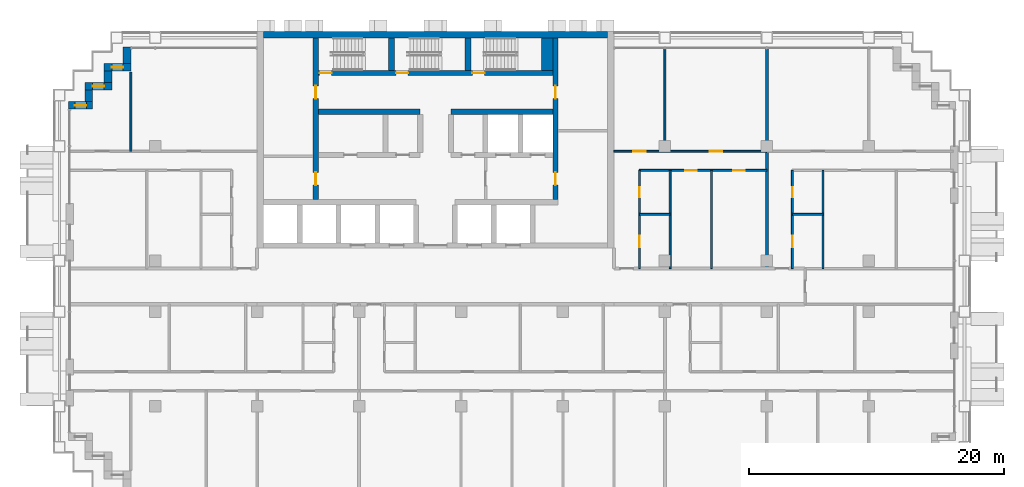
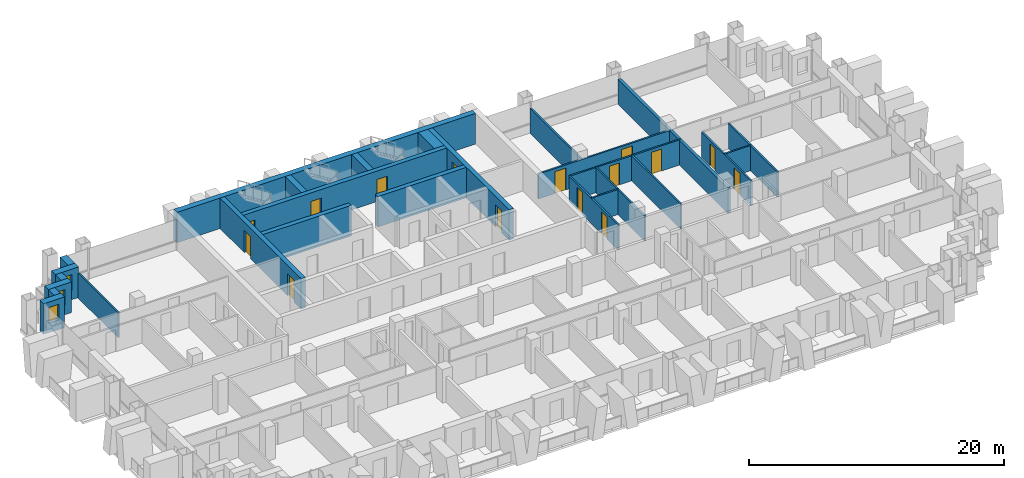
# One storey, part 12 of 17: 27 walls, 15 doors, 3 windows, 18 openings.
"""IFC4 building model written with IfcOpenShell, lengths in metres."""

from ifc_helpers import new_model, si_unit, direction, frame, frame_2d, origin, place, context, subcontext, project, spatial, rectangle, extrude, material, layer, layer_set, type_object, element, fill, save


model = new_model("IFC4")

# Units and contexts
model_context = context("Model", 3, precision=1e-05, world=origin(), true_north=direction((0.0, 1.0)))
body_context = subcontext(model_context, "Body", "Model", "MODEL_VIEW")
ifc_project = project(units=[si_unit("LENGTHUNIT", "METRE"), si_unit("AREAUNIT", "SQUARE_METRE"), si_unit("VOLUMEUNIT", "CUBIC_METRE"), si_unit("PLANEANGLEUNIT", "RADIAN"), si_unit("MASSUNIT", "GRAM", prefix="KILO")], contexts=[model_context])

# Site, building, storey
site_placement = place(None, origin())
site = spatial("IfcSite", under=ifc_project, at=site_placement, CompositionType="ELEMENT")
building_placement = place(site_placement, origin())
building = spatial("IfcBuilding", under=site, at=building_placement, Name="Vidyagriha Tower", CompositionType="ELEMENT")
storey_placement = place(building_placement, frame((0.0, 0.0, 96.699951171875)))
storey = spatial("IfcBuildingStorey", under=building, at=storey_placement, Name="L25", CompositionType="ELEMENT", Elevation=96.699951171875)

# Wall
ifc_material_1 = material(Name="Precast concrete C40/50 with brick facing", Category="concrete")
ifc_layer_1 = layer(ifc_material_1, 0.60009765625)
ifc_layer_set_1 = layer_set([ifc_layer_1], Name="Precast concrete C40/50 with brick facing")
wall_type_1 = type_object("IfcWallType", Name="Brick-faced precast wall 600", PredefinedType="STANDARD", material=ifc_layer_set_1)
wall_1_placement = place(storey_placement, frame((-24.199951171875, 18.780029296875, 0.0), z_axis=(0.0, 0.0, 1.0), x_axis=(0.0, -1.0, 0.0)))
element("IfcWall", 1, at=wall_1_placement, inside=storey, type_object=wall_type_1, Name="Stepped corner wall L25 R10", PredefinedType="STANDARD", context=body_context, shape_type="SweptSolid", body=[
    extrude(rectangle(XDim=1.280029296875, YDim=0.60009765625, at=frame_2d((0.64013671875, 0.0))), origin(), (0.0, 0.0, 1.0), 2.920166015625),
])

# Wall, opening, window
wall_2_placement = place(storey_placement, frame((-23.89990234375, 17.199951171875, 0.0), z_axis=(0.0, 0.0, 1.0), x_axis=(-1.0, 0.0, 0.0)))
wall_2 = element("IfcWall", 2, at=wall_2_placement, inside=storey, type_object=wall_type_1, Name="Stepped corner wall L25 R11", PredefinedType="STANDARD", context=body_context, shape_type="SweptSolid", body=[
    extrude(rectangle(XDim=2.10009765625, YDim=0.60009765625, at=frame_2d((1.050048828125, 0.0))), origin(), (0.0, 0.0, 1.0), 2.920166015625),
])
opening_1_placement = place(wall_2_placement, frame((0.60009765625, 0.0, 0.89990234375)))
opening_1 = element("IfcOpeningElement", 3, at=opening_1_placement, cuts=wall_2, Name="Opening WN1", PredefinedType="OPENING", context=body_context, shape_type="SweptSolid", body=[
    extrude(rectangle(XDim=0.89990234375, YDim=1.5, at=frame_2d((0.449951171875, 0.75))), frame((0.0, 0.31005859375, 0.0), z_axis=(0.0, -1.0, 0.0), x_axis=(1.0, 0.0, 0.0)), (0.0, 0.0, 1.0), 0.6201171875),
])
ifc_material_2 = material(Name="Aluminium and glass window", Category="aluminium")
window_type = type_object("IfcWindowType", Name="Reveal window 900x1500", PartitioningType="NOTDEFINED", PredefinedType="WINDOW", material=ifc_material_2)
window_1_placement = place(opening_1_placement, origin())
window_1 = element("IfcWindow", 4, at=window_1_placement, inside=storey, type_object=window_type, Name="Reveal window L25 R11", OverallHeight=1.5, OverallWidth=0.89990234375, PartitioningType="SINGLE_PANEL", PredefinedType="WINDOW", context=body_context, shape_type="SweptSolid", body=[
    extrude(rectangle(XDim=0.89990234375, YDim=1.5, at=frame_2d((0.449951171875, 0.75))), frame((0.0, 0.030029296875, 0.0), z_axis=(0.0, -1.0, 0.0), x_axis=(1.0, 0.0, 0.0)), (0.0, 0.0, 1.0), 0.06005859375),
])
fill(opening_1, window_1)

# Wall
wall_3_placement = place(storey_placement, frame((-25.699951171875, 16.89990234375, 0.0), z_axis=(0.0, 0.0, 1.0), x_axis=(0.0, -1.0, 0.0)))
element("IfcWall", 5, at=wall_3_placement, inside=storey, type_object=wall_type_1, Name="Stepped corner wall L25 R12", PredefinedType="STANDARD", context=body_context, shape_type="SweptSolid", body=[
    extrude(rectangle(XDim=0.89990234375, YDim=0.60009765625, at=frame_2d((0.449951171875, 0.0))), origin(), (0.0, 0.0, 1.0), 2.920166015625),
])

# Wall, opening, window
wall_4_placement = place(storey_placement, frame((-25.39990234375, 15.699951171875, 0.0), z_axis=(0.0, 0.0, 1.0), x_axis=(-1.0, 0.0, 0.0)))
wall_4 = element("IfcWall", 6, at=wall_4_placement, inside=storey, type_object=wall_type_1, Name="Stepped corner wall L25 R13", PredefinedType="STANDARD", context=body_context, shape_type="SweptSolid", body=[
    extrude(rectangle(XDim=2.10009765625, YDim=0.60009765625, at=frame_2d((1.050048828125, 0.0))), origin(), (0.0, 0.0, 1.0), 2.920166015625),
])
opening_2_placement = place(wall_4_placement, frame((0.60009765625, 0.0, 0.89990234375)))
opening_2 = element("IfcOpeningElement", 7, at=opening_2_placement, cuts=wall_4, Name="Opening WN1", PredefinedType="OPENING", context=body_context, shape_type="SweptSolid", body=[
    extrude(rectangle(XDim=0.89990234375, YDim=1.5, at=frame_2d((0.449951171875, 0.75))), frame((0.0, 0.31005859375, 0.0), z_axis=(0.0, -1.0, 0.0), x_axis=(1.0, 0.0, 0.0)), (0.0, 0.0, 1.0), 0.6201171875),
])
window_2_placement = place(opening_2_placement, origin())
window_2 = element("IfcWindow", 8, at=window_2_placement, inside=storey, type_object=window_type, Name="Reveal window L25 R13", OverallHeight=1.5, OverallWidth=0.89990234375, PartitioningType="SINGLE_PANEL", PredefinedType="WINDOW", context=body_context, shape_type="SweptSolid", body=[
    extrude(rectangle(XDim=0.89990234375, YDim=1.5, at=frame_2d((0.449951171875, 0.75))), frame((0.0, 0.030029296875, 0.0), z_axis=(0.0, -1.0, 0.0), x_axis=(1.0, 0.0, 0.0)), (0.0, 0.0, 1.0), 0.06005859375),
])
fill(opening_2, window_2)

# Wall
wall_5_placement = place(storey_placement, frame((-27.199951171875, 15.39990234375, 0.0), z_axis=(0.0, 0.0, 1.0), x_axis=(0.0, -1.0, 0.0)))
element("IfcWall", 9, at=wall_5_placement, inside=storey, type_object=wall_type_1, Name="Stepped corner wall L25 R14", PredefinedType="STANDARD", context=body_context, shape_type="SweptSolid", body=[
    extrude(rectangle(XDim=0.89990234375, YDim=0.60009765625, at=frame_2d((0.449951171875, 0.0))), origin(), (0.0, 0.0, 1.0), 2.920166015625),
])

# Wall, opening, window
wall_6_placement = place(storey_placement, frame((-26.89990234375, 14.199951171875, 0.0), z_axis=(0.0, 0.0, 1.0), x_axis=(-1.0, 0.0, 0.0)))
wall_6 = element("IfcWall", 10, at=wall_6_placement, inside=storey, type_object=wall_type_1, Name="Stepped corner wall L25 R15", PredefinedType="STANDARD", context=body_context, shape_type="SweptSolid", body=[
    extrude(rectangle(XDim=1.880126953125, YDim=0.60009765625, at=frame_2d((0.93994140625, 0.0))), origin(), (0.0, 0.0, 1.0), 2.920166015625),
])
opening_3_placement = place(wall_6_placement, frame((0.489990234375, 0.0, 0.89990234375)))
opening_3 = element("IfcOpeningElement", 11, at=opening_3_placement, cuts=wall_6, Name="Opening WN1", PredefinedType="OPENING", context=body_context, shape_type="SweptSolid", body=[
    extrude(rectangle(XDim=0.89990234375, YDim=1.5, at=frame_2d((0.449951171875, 0.75))), frame((0.0, 0.31005859375, 0.0), z_axis=(0.0, -1.0, 0.0), x_axis=(1.0, 0.0, 0.0)), (0.0, 0.0, 1.0), 0.6201171875),
])
window_3_placement = place(opening_3_placement, origin())
window_3 = element("IfcWindow", 12, at=window_3_placement, inside=storey, type_object=window_type, Name="Reveal window L25 R15", OverallHeight=1.5, OverallWidth=0.89990234375, PartitioningType="SINGLE_PANEL", PredefinedType="WINDOW", context=body_context, shape_type="SweptSolid", body=[
    extrude(rectangle(XDim=0.89990234375, YDim=1.5, at=frame_2d((0.449951171875, 0.75))), frame((0.0, 0.030029296875, 0.0), z_axis=(0.0, -1.0, 0.0), x_axis=(1.0, 0.0, 0.0)), (0.0, 0.0, 1.0), 0.06005859375),
])
fill(opening_3, window_3)

# Wall, openings, doors
ifc_material_3 = material(Name="Concrete C60/75", Category="concrete")
ifc_layer_2 = layer(ifc_material_3, 0.39990234375)
ifc_layer_set_2 = layer_set([ifc_layer_2], Name="Concrete C60/75")
wall_type_2 = type_object("IfcWallType", Name="Core shear wall 400 mm", PredefinedType="SHEAR", material=ifc_layer_set_2)
wall_7_placement = place(storey_placement, frame((-9.39990234375, 6.800048828125, 0.0), z_axis=(0.0, 0.0, 1.0), x_axis=(0.0, 1.0, 0.0)))
wall_7 = element("IfcWall", 13, at=wall_7_placement, inside=storey, type_object=wall_type_2, Name="Core west spine wall", PredefinedType="SHEAR", context=body_context, shape_type="SweptSolid", body=[
    extrude(rectangle(XDim=12.699951171875, YDim=0.39990234375, at=frame_2d((6.35009765625, 0.0))), origin(), (0.0, 0.0, 1.0), 2.920166015625),
])
opening_4_placement = place(wall_7_placement, frame((1.14990234375, 0.0, 0.0)))
opening_4 = element("IfcOpeningElement", 14, at=opening_4_placement, cuts=wall_7, Name="Opening D25-09", PredefinedType="OPENING", context=body_context, shape_type="SweptSolid", body=[
    extrude(rectangle(XDim=1.0, YDim=2.10009765625, at=frame_2d((0.5, 1.050048828125))), frame((0.0, 0.2099609375, 0.0), z_axis=(0.0, -1.0, 0.0), x_axis=(1.0, 0.0, 0.0)), (0.0, 0.0, 1.0), 0.419921875),
])
opening_5_placement = place(wall_7_placement, frame((7.925048828125, 0.0, 0.0)))
opening_5 = element("IfcOpeningElement", 15, at=opening_5_placement, cuts=wall_7, Name="Opening D25-10", PredefinedType="OPENING", context=body_context, shape_type="SweptSolid", body=[
    extrude(rectangle(XDim=1.0, YDim=2.10009765625, at=frame_2d((0.5, 1.050048828125))), frame((0.0, 0.2099609375, 0.0), z_axis=(0.0, -1.0, 0.0), x_axis=(1.0, 0.0, 0.0)), (0.0, 0.0, 1.0), 0.419921875),
])
ifc_material_4 = material(Name="Hollow metal door leaf")
door_type_1 = type_object("IfcDoorType", Name="Core room door 1000 x 2100 mm EI 60", OperationType="NOTDEFINED", PredefinedType="DOOR", material=ifc_material_4)
door_1_placement = place(opening_4_placement, frame((1.0, 0.0, 0.0), z_axis=(0.0, 0.0, 1.0), x_axis=(-1.0, 0.0, 0.0)))
door_1 = element("IfcDoor", 16, at=door_1_placement, inside=storey, type_object=door_type_1, Name="Door Electrical Room 25.W1", OperationType="SINGLE_SWING_RIGHT", OverallHeight=2.10009765625, OverallWidth=1.0, PredefinedType="DOOR", context=body_context, shape_type="SweptSolid", body=[
    extrude(rectangle(XDim=1.0, YDim=2.10009765625, at=frame_2d((0.5, 1.050048828125))), frame((0.0, 0.02490234375, 0.0), z_axis=(0.0, -1.0, 0.0), x_axis=(1.0, 0.0, 0.0)), (0.0, 0.0, 1.0), 0.050048828125),
])
fill(opening_4, door_1)
door_2_placement = place(opening_5_placement, frame((1.0, 0.0, 0.0), z_axis=(0.0, 0.0, 1.0), x_axis=(-1.0, 0.0, 0.0)))
door_2 = element("IfcDoor", 17, at=door_2_placement, inside=storey, type_object=door_type_1, Name="Door Refuse Room 25.W2", OperationType="SINGLE_SWING_LEFT", OverallHeight=2.10009765625, OverallWidth=1.0, PredefinedType="DOOR", context=body_context, shape_type="SweptSolid", body=[
    extrude(rectangle(XDim=1.0, YDim=2.10009765625, at=frame_2d((0.5, 1.050048828125))), frame((0.0, 0.02490234375, 0.0), z_axis=(0.0, -1.0, 0.0), x_axis=(1.0, 0.0, 0.0)), (0.0, 0.0, 1.0), 0.050048828125),
])
fill(opening_5, door_2)

wall_8_placement = place(storey_placement, frame((9.39990234375, 6.800048828125, 0.0), z_axis=(0.0, 0.0, 1.0), x_axis=(0.0, 1.0, 0.0)))
wall_8 = element("IfcWall", 18, at=wall_8_placement, inside=storey, type_object=wall_type_2, Name="Core east spine wall", PredefinedType="SHEAR", context=body_context, shape_type="SweptSolid", body=[
    extrude(rectangle(XDim=12.699951171875, YDim=0.39990234375, at=frame_2d((6.35009765625, 0.0))), origin(), (0.0, 0.0, 1.0), 2.920166015625),
])
opening_6_placement = place(wall_8_placement, frame((1.14990234375, 0.0, 0.0)))
opening_6 = element("IfcOpeningElement", 19, at=opening_6_placement, cuts=wall_8, Name="Opening D25-11", PredefinedType="OPENING", context=body_context, shape_type="SweptSolid", body=[
    extrude(rectangle(XDim=1.0, YDim=2.10009765625, at=frame_2d((0.5, 1.050048828125))), frame((0.0, 0.2099609375, 0.0), z_axis=(0.0, -1.0, 0.0), x_axis=(1.0, 0.0, 0.0)), (0.0, 0.0, 1.0), 0.419921875),
])
opening_7_placement = place(wall_8_placement, frame((7.925048828125, 0.0, 0.0)))
opening_7 = element("IfcOpeningElement", 20, at=opening_7_placement, cuts=wall_8, Name="Opening D25-12", PredefinedType="OPENING", context=body_context, shape_type="SweptSolid", body=[
    extrude(rectangle(XDim=1.0, YDim=2.10009765625, at=frame_2d((0.5, 1.050048828125))), frame((0.0, 0.2099609375, 0.0), z_axis=(0.0, -1.0, 0.0), x_axis=(1.0, 0.0, 0.0)), (0.0, 0.0, 1.0), 0.419921875),
])
door_3_placement = place(opening_6_placement, origin())
door_3 = element("IfcDoor", 21, at=door_3_placement, inside=storey, type_object=door_type_1, Name="Door Cleaners Store 25.E1", OperationType="SINGLE_SWING_RIGHT", OverallHeight=2.10009765625, OverallWidth=1.0, PredefinedType="DOOR", context=body_context, shape_type="SweptSolid", body=[
    extrude(rectangle(XDim=1.0, YDim=2.10009765625, at=frame_2d((0.5, 1.050048828125))), frame((0.0, 0.02490234375, 0.0), z_axis=(0.0, -1.0, 0.0), x_axis=(1.0, 0.0, 0.0)), (0.0, 0.0, 1.0), 0.050048828125),
])
fill(opening_6, door_3)
door_4_placement = place(opening_7_placement, origin())
door_4 = element("IfcDoor", 22, at=door_4_placement, inside=storey, type_object=door_type_1, Name="Door Pressurisation Plant Room 25.E2", OperationType="SINGLE_SWING_LEFT", OverallHeight=2.10009765625, OverallWidth=1.0, PredefinedType="DOOR", context=body_context, shape_type="SweptSolid", body=[
    extrude(rectangle(XDim=1.0, YDim=2.10009765625, at=frame_2d((0.5, 1.050048828125))), frame((0.0, 0.02490234375, 0.0), z_axis=(0.0, -1.0, 0.0), x_axis=(1.0, 0.0, 0.0)), (0.0, 0.0, 1.0), 0.050048828125),
])
fill(opening_7, door_4)

# Walls
for number, where, name in (
    (23, (-9.199951171875, 13.699951171875, 0.0), "Core row N rear wall"),
    (24, (1.199951171875, 13.699951171875, 0.0), "Core row N rear wall"),
):
    element("IfcWall", number, at=place(storey_placement, frame(where)), inside=storey, type_object=wall_type_2, Name=name, PredefinedType="SHEAR", context=body_context, shape_type="SweptSolid", body=[
        extrude(rectangle(XDim=8.0, YDim=0.39990234375, at=frame_2d((4.0, 0.0))), origin(), (0.0, 0.0, 1.0), 2.920166015625),
    ])

# Wall, openings, doors
wall_9_placement = place(storey_placement, frame((-9.199951171875, 16.75, 0.0)))
wall_9 = element("IfcWall", 25, at=wall_9_placement, inside=storey, type_object=wall_type_2, Name="Stair front wall", PredefinedType="SHEAR", context=body_context, shape_type="SweptSolid", body=[
    extrude(rectangle(XDim=18.39990234375, YDim=0.39990234375, at=frame_2d((9.199951171875, 0.0))), origin(), (0.0, 0.0, 1.0), 2.920166015625),
])
opening_8_placement = place(wall_9_placement, frame((0.10009765625, 0.0, 0.0)))
opening_8 = element("IfcOpeningElement", 26, at=opening_8_placement, cuts=wall_9, Name="Opening D25-06", PredefinedType="OPENING", context=body_context, shape_type="SweptSolid", body=[
    extrude(rectangle(XDim=0.949951171875, YDim=2.10009765625, at=frame_2d((0.47509765625, 1.050048828125))), frame((0.0, 0.2099609375, 0.0), z_axis=(0.0, -1.0, 0.0), x_axis=(1.0, 0.0, 0.0)), (0.0, 0.0, 1.0), 0.419921875),
])
opening_9_placement = place(wall_9_placement, frame((6.10009765625, 0.0, 0.0)))
opening_9 = element("IfcOpeningElement", 27, at=opening_9_placement, cuts=wall_9, Name="Opening D25-07", PredefinedType="OPENING", context=body_context, shape_type="SweptSolid", body=[
    extrude(rectangle(XDim=0.949951171875, YDim=2.10009765625, at=frame_2d((0.47509765625, 1.050048828125))), frame((0.0, 0.2099609375, 0.0), z_axis=(0.0, -1.0, 0.0), x_axis=(1.0, 0.0, 0.0)), (0.0, 0.0, 1.0), 0.419921875),
])
opening_10_placement = place(wall_9_placement, frame((12.10009765625, 0.0, 0.0)))
opening_10 = element("IfcOpeningElement", 28, at=opening_10_placement, cuts=wall_9, Name="Opening D25-08", PredefinedType="OPENING", context=body_context, shape_type="SweptSolid", body=[
    extrude(rectangle(XDim=0.949951171875, YDim=2.10009765625, at=frame_2d((0.47509765625, 1.050048828125))), frame((0.0, 0.2099609375, 0.0), z_axis=(0.0, -1.0, 0.0), x_axis=(1.0, 0.0, 0.0)), (0.0, 0.0, 1.0), 0.419921875),
])
ifc_material_5 = material(Name="Hollow metal door leaf")
door_type_2 = type_object("IfcDoorType", Name="Exit stair door 950 x 2100 mm EI 90", OperationType="NOTDEFINED", PredefinedType="DOOR", material=ifc_material_5)
door_5_placement = place(opening_8_placement, origin())
door_5 = element("IfcDoor", 29, at=door_5_placement, inside=storey, type_object=door_type_2, Name="Stair door ST1 L25", OperationType="SINGLE_SWING_LEFT", OverallHeight=2.10009765625, OverallWidth=0.949951171875, PredefinedType="DOOR", context=body_context, shape_type="SweptSolid", body=[
    extrude(rectangle(XDim=0.949951171875, YDim=2.10009765625, at=frame_2d((0.47509765625, 1.050048828125))), frame((0.0, 0.02490234375, 0.0), z_axis=(0.0, -1.0, 0.0), x_axis=(1.0, 0.0, 0.0)), (0.0, 0.0, 1.0), 0.050048828125),
])
fill(opening_8, door_5)
door_6_placement = place(opening_9_placement, origin())
door_6 = element("IfcDoor", 30, at=door_6_placement, inside=storey, type_object=door_type_2, Name="Stair door ST2 L25", OperationType="SINGLE_SWING_LEFT", OverallHeight=2.10009765625, OverallWidth=0.949951171875, PredefinedType="DOOR", context=body_context, shape_type="SweptSolid", body=[
    extrude(rectangle(XDim=0.949951171875, YDim=2.10009765625, at=frame_2d((0.47509765625, 1.050048828125))), frame((0.0, 0.02490234375, 0.0), z_axis=(0.0, -1.0, 0.0), x_axis=(1.0, 0.0, 0.0)), (0.0, 0.0, 1.0), 0.050048828125),
])
fill(opening_9, door_6)
door_7_placement = place(opening_10_placement, origin())
door_7 = element("IfcDoor", 31, at=door_7_placement, inside=storey, type_object=door_type_2, Name="Stair door ST3 L25", OperationType="SINGLE_SWING_LEFT", OverallHeight=2.10009765625, OverallWidth=0.949951171875, PredefinedType="DOOR", context=body_context, shape_type="SweptSolid", body=[
    extrude(rectangle(XDim=0.949951171875, YDim=2.10009765625, at=frame_2d((0.47509765625, 1.050048828125))), frame((0.0, 0.02490234375, 0.0), z_axis=(0.0, -1.0, 0.0), x_axis=(1.0, 0.0, 0.0)), (0.0, 0.0, 1.0), 0.050048828125),
])
fill(opening_10, door_7)

# Walls
ifc_material_6 = material(Name="Concrete C60/75", Category="concrete")
ifc_layer_3 = layer(ifc_material_6, 0.5)
ifc_layer_set_3 = layer_set([ifc_layer_3], Name="Concrete C60/75")
wall_type_3 = type_object("IfcWallType", Name="Core shear wall 500 mm", PredefinedType="SHEAR", material=ifc_layer_set_3)
wall_10_placement = place(storey_placement, frame((-13.5, 19.75, 0.0)))
element("IfcWall", 32, at=wall_10_placement, inside=storey, type_object=wall_type_3, Name="Core north wall", PredefinedType="SHEAR", context=body_context, shape_type="SweptSolid", body=[
    extrude(rectangle(XDim=27.0, YDim=0.5, at=frame_2d((13.5, 0.0))), origin(), (0.0, 0.0, 1.0), 2.920166015625),
])
for number, where, z_axis, x_axis, name in (
    (33, (-3.449951171875, 16.949951171875, 0.0), (0.0, 0.0, 1.0), (0.0, 1.0, 0.0), "Stair partition wall 1"),
    (34, (2.550048828125, 16.949951171875, 0.0), (0.0, 0.0, 1.0), (0.0, 1.0, 0.0), "Stair partition wall 2"),
):
    element("IfcWall", number, at=place(storey_placement, frame(where, z_axis=z_axis, x_axis=x_axis)), inside=storey, type_object=wall_type_3, Name=name, PredefinedType="SHEAR", context=body_context, shape_type="SweptSolid", body=[
        extrude(rectangle(XDim=2.550048828125, YDim=0.5, at=frame_2d((1.27490234375, 0.0))), origin(), (0.0, 0.0, 1.0), 2.920166015625),
    ])
ifc_material_7 = material(Name="Concrete C60/75", Category="concrete")
ifc_layer_4 = layer(ifc_material_7, 0.89990234375)
ifc_layer_set_4 = layer_set([ifc_layer_4], Name="Concrete C60/75")
wall_type_4 = type_object("IfcWallType", Name="Core shear wall 900 mm", PredefinedType="SHEAR", material=ifc_layer_set_4)
wall_11_placement = place(storey_placement, frame((8.75, 16.949951171875, 0.0), z_axis=(0.0, 0.0, 1.0), x_axis=(0.0, 1.0, 0.0)))
element("IfcWall", 35, at=wall_11_placement, inside=storey, type_object=wall_type_4, Name="Stair end wall", PredefinedType="SHEAR", context=body_context, shape_type="SweptSolid", body=[
    extrude(rectangle(XDim=2.550048828125, YDim=0.89990234375, at=frame_2d((1.27490234375, 0.0))), origin(), (0.0, 0.0, 1.0), 2.920166015625),
])
ifc_material_8 = material(Name="Fired clay brick masonry", Category="masonry")
ifc_layer_5 = layer(ifc_material_8, 0.25)
ifc_layer_set_5 = layer_set([ifc_layer_5], Name="Fired clay brick masonry")
wall_type_5 = type_object("IfcWallType", Name="Fired clay brick demising wall 250", PredefinedType="PARTITIONING", material=ifc_layer_set_5)
wall_12_placement = place(storey_placement, frame((26.0, 18.62109375, 0.0), z_axis=(0.0, 0.0, 1.0), x_axis=(0.0, -1.0, 0.0)))
element("IfcWall", 36, at=wall_12_placement, inside=storey, type_object=wall_type_5, Name="Wall all-L25-w111", PredefinedType="PARTITIONING", context=body_context, shape_type="SweptSolid", body=[
    extrude(rectangle(XDim=17.22119140625, YDim=0.25, at=frame_2d((8.610595703125, 0.0))), origin(), (0.0, 0.0, 1.0), 2.400146484375),
])
ifc_material_9 = material(Name="Gypsum board partition")
ifc_layer_6 = layer(ifc_material_9, 0.14990234375)
ifc_layer_set_6 = layer_set([ifc_layer_6], Name="Gypsum board partition")
wall_type_6 = type_object("IfcWallType", Name="Gypsum board partition 150", PredefinedType="PARTITIONING", material=ifc_layer_set_6)
wall_13_placement = place(storey_placement, frame((-23.89990234375, 16.820068359375, 0.0), z_axis=(0.0, 0.0, 1.0), x_axis=(0.0, -1.0, 0.0)))
element("IfcWall", 37, at=wall_13_placement, inside=storey, type_object=wall_type_6, Name="Wall all-L25-w080", PredefinedType="PARTITIONING", context=body_context, shape_type="SweptSolid", body=[
    extrude(rectangle(XDim=6.219970703125, YDim=0.14990234375, at=frame_2d((3.10986328125, 0.0))), origin(), (0.0, 0.0, 1.0), 2.400146484375),
])
wall_14_placement = place(storey_placement, frame((16.0, 5.64990234375, 0.0)))
element("IfcWall", 38, at=wall_14_placement, inside=storey, type_object=wall_type_6, Name="Wall all-L25-w086", PredefinedType="PARTITIONING", context=body_context, shape_type="SweptSolid", body=[
    extrude(rectangle(XDim=2.39990234375, YDim=0.14990234375, at=frame_2d((1.199951171875, 0.0))), origin(), (0.0, 0.0, 1.0), 2.400146484375),
])
for number, where, z_axis, x_axis, name in (
    (39, (18.39990234375, 9.10009765625, 0.0), (0.0, 0.0, 1.0), (0.0, -1.0, 0.0), "Wall all-L25-w087"),
    (40, (21.64990234375, 9.10009765625, 0.0), (0.0, 0.0, 1.0), (0.0, -1.0, 0.0), "Wall all-L25-w088"),
):
    element("IfcWall", number, at=place(storey_placement, frame(where, z_axis=z_axis, x_axis=x_axis)), inside=storey, type_object=wall_type_6, Name=name, PredefinedType="PARTITIONING", context=body_context, shape_type="SweptSolid", body=[
        extrude(rectangle(XDim=7.7001953125, YDim=0.14990234375, at=frame_2d((3.85009765625, 0.0))), origin(), (0.0, 0.0, 1.0), 2.400146484375),
    ])

# Wall, openings, doors
wall_15_placement = place(storey_placement, frame((26.0, 9.10009765625, 0.0), z_axis=(0.0, 0.0, 1.0), x_axis=(-1.0, 0.0, 0.0)))
wall_15 = element("IfcWall", 41, at=wall_15_placement, inside=storey, type_object=wall_type_6, Name="Wall all-L25-w089", PredefinedType="PARTITIONING", context=body_context, shape_type="SweptSolid", body=[
    extrude(rectangle(XDim=10.0, YDim=0.14990234375, at=frame_2d((5.0, 0.0))), origin(), (0.0, 0.0, 1.0), 2.400146484375),
])
opening_11_placement = place(wall_15_placement, frame((5.52490234375, 0.0, 0.0)))
opening_11 = element("IfcOpeningElement", 42, at=opening_11_placement, cuts=wall_15, Name="Opening D25-53", PredefinedType="OPENING", context=body_context, shape_type="SweptSolid", body=[
    extrude(rectangle(XDim=0.89990234375, YDim=2.10009765625, at=frame_2d((0.449951171875, 1.050048828125))), frame((0.0, 0.0849609375, 0.0), z_axis=(0.0, -1.0, 0.0), x_axis=(1.0, 0.0, 0.0)), (0.0, 0.0, 1.0), 0.169921875),
])
opening_12_placement = place(wall_15_placement, frame((1.72509765625, 0.0, 0.0)))
opening_12 = element("IfcOpeningElement", 43, at=opening_12_placement, cuts=wall_15, Name="Opening D25-54", PredefinedType="OPENING", context=body_context, shape_type="SweptSolid", body=[
    extrude(rectangle(XDim=0.89990234375, YDim=2.10009765625, at=frame_2d((0.449951171875, 1.050048828125))), frame((0.0, 0.0849609375, 0.0), z_axis=(0.0, -1.0, 0.0), x_axis=(1.0, 0.0, 0.0)), (0.0, 0.0, 1.0), 0.169921875),
])
ifc_material_10 = material(Name="Timber door leaf", Category="wood")
door_type_3 = type_object("IfcDoorType", Name="Room door 900x2100", OperationType="NOTDEFINED", PredefinedType="DOOR", material=ifc_material_10)
door_8_placement = place(opening_11_placement, origin())
door_8 = element("IfcDoor", 44, at=door_8_placement, inside=storey, type_object=door_type_3, Name="Door D25-53", OperationType="SINGLE_SWING_RIGHT", OverallHeight=2.10009765625, OverallWidth=0.89990234375, PredefinedType="DOOR", context=body_context, shape_type="SweptSolid", body=[
    extrude(rectangle(XDim=0.89990234375, YDim=2.10009765625, at=frame_2d((0.449951171875, 1.050048828125))), frame((0.0, 0.02490234375, 0.0), z_axis=(0.0, -1.0, 0.0), x_axis=(1.0, 0.0, 0.0)), (0.0, 0.0, 1.0), 0.050048828125),
])
fill(opening_11, door_8)
door_9_placement = place(opening_12_placement, origin())
door_9 = element("IfcDoor", 45, at=door_9_placement, inside=storey, type_object=door_type_3, Name="Door D25-54", OperationType="SINGLE_SWING_RIGHT", OverallHeight=2.10009765625, OverallWidth=0.89990234375, PredefinedType="DOOR", context=body_context, shape_type="SweptSolid", body=[
    extrude(rectangle(XDim=0.89990234375, YDim=2.10009765625, at=frame_2d((0.449951171875, 1.050048828125))), frame((0.0, 0.02490234375, 0.0), z_axis=(0.0, -1.0, 0.0), x_axis=(1.0, 0.0, 0.0)), (0.0, 0.0, 1.0), 0.050048828125),
])
fill(opening_12, door_9)

wall_16_placement = place(storey_placement, frame((14.0, 10.60009765625, 0.0)))
wall_16 = element("IfcWall", 46, at=wall_16_placement, inside=storey, type_object=wall_type_6, Name="Wall all-L25-w092", PredefinedType="PARTITIONING", context=body_context, shape_type="SweptSolid", body=[
    extrude(rectangle(XDim=12.0, YDim=0.14990234375, at=frame_2d((6.0, 0.0))), origin(), (0.0, 0.0, 1.0), 2.400146484375),
])
opening_13_placement = place(wall_16_placement, frame((1.5, 0.0, 0.0)))
opening_13 = element("IfcOpeningElement", 47, at=opening_13_placement, cuts=wall_16, Name="Opening D25-55", PredefinedType="OPENING", context=body_context, shape_type="SweptSolid", body=[
    extrude(rectangle(XDim=1.0, YDim=2.10009765625, at=frame_2d((0.5, 1.050048828125))), frame((0.0, 0.0849609375, 0.0), z_axis=(0.0, -1.0, 0.0), x_axis=(1.0, 0.0, 0.0)), (0.0, 0.0, 1.0), 0.169921875),
])
opening_14_placement = place(wall_16_placement, frame((7.5, 0.0, 0.0)))
opening_14 = element("IfcOpeningElement", 48, at=opening_14_placement, cuts=wall_16, Name="Opening D25-56", PredefinedType="OPENING", context=body_context, shape_type="SweptSolid", body=[
    extrude(rectangle(XDim=1.0, YDim=2.10009765625, at=frame_2d((0.5, 1.050048828125))), frame((0.0, 0.0849609375, 0.0), z_axis=(0.0, -1.0, 0.0), x_axis=(1.0, 0.0, 0.0)), (0.0, 0.0, 1.0), 0.169921875),
])
ifc_material_11 = material(Name="Timber door leaf", Category="wood")
door_type_4 = type_object("IfcDoorType", Name="Room door 1000x2100", OperationType="NOTDEFINED", PredefinedType="DOOR", material=ifc_material_11)
door_10_placement = place(opening_13_placement, origin())
door_10 = element("IfcDoor", 49, at=door_10_placement, inside=storey, type_object=door_type_4, Name="Door D25-55", OperationType="SINGLE_SWING_RIGHT", OverallHeight=2.10009765625, OverallWidth=1.0, PredefinedType="DOOR", context=body_context, shape_type="SweptSolid", body=[
    extrude(rectangle(XDim=1.0, YDim=2.10009765625, at=frame_2d((0.5, 1.050048828125))), frame((0.0, 0.02490234375, 0.0), z_axis=(0.0, -1.0, 0.0), x_axis=(1.0, 0.0, 0.0)), (0.0, 0.0, 1.0), 0.050048828125),
])
fill(opening_13, door_10)
door_11_placement = place(opening_14_placement, origin())
door_11 = element("IfcDoor", 50, at=door_11_placement, inside=storey, type_object=door_type_4, Name="Door D25-56", OperationType="SINGLE_SWING_RIGHT", OverallHeight=2.10009765625, OverallWidth=1.0, PredefinedType="DOOR", context=body_context, shape_type="SweptSolid", body=[
    extrude(rectangle(XDim=1.0, YDim=2.10009765625, at=frame_2d((0.5, 1.050048828125))), frame((0.0, 0.02490234375, 0.0), z_axis=(0.0, -1.0, 0.0), x_axis=(1.0, 0.0, 0.0)), (0.0, 0.0, 1.0), 0.050048828125),
])
fill(opening_14, door_11)

# Walls
wall_17_placement = place(storey_placement, frame((18.0, 18.62109375, 0.0), z_axis=(0.0, 0.0, 1.0), x_axis=(0.0, -1.0, 0.0)))
element("IfcWall", 51, at=wall_17_placement, inside=storey, type_object=wall_type_6, Name="Wall all-L25-w095", PredefinedType="PARTITIONING", context=body_context, shape_type="SweptSolid", body=[
    extrude(rectangle(XDim=8.02099609375, YDim=0.14990234375, at=frame_2d((4.010498046875, 0.0))), origin(), (0.0, 0.0, 1.0), 2.400146484375),
])
wall_18_placement = place(storey_placement, frame((28.0, 5.64990234375, 0.0)))
element("IfcWall", 52, at=wall_18_placement, inside=storey, type_object=wall_type_6, Name="Wall all-L25-w100", PredefinedType="PARTITIONING", context=body_context, shape_type="SweptSolid", body=[
    extrude(rectangle(XDim=2.39990234375, YDim=0.14990234375, at=frame_2d((1.199951171875, 0.0))), origin(), (0.0, 0.0, 1.0), 2.400146484375),
])
wall_19_placement = place(storey_placement, frame((30.39990234375, 9.10009765625, 0.0), z_axis=(0.0, 0.0, 1.0), x_axis=(0.0, -1.0, 0.0)))
element("IfcWall", 53, at=wall_19_placement, inside=storey, type_object=wall_type_6, Name="Wall all-L25-w101", PredefinedType="PARTITIONING", context=body_context, shape_type="SweptSolid", body=[
    extrude(rectangle(XDim=7.7001953125, YDim=0.14990234375, at=frame_2d((3.85009765625, 0.0))), origin(), (0.0, 0.0, 1.0), 2.400146484375),
])

# Wall, openings, doors
ifc_material_12 = material(Name="Moisture resistant gypsum board partition")
ifc_layer_7 = layer(ifc_material_12, 0.14990234375)
ifc_layer_set_7 = layer_set([ifc_layer_7], Name="Moisture resistant gypsum board partition")
wall_type_7 = type_object("IfcWallType", Name="Gypsum board wet-area partition 150", PredefinedType="PARTITIONING", material=ifc_layer_set_7)
wall_20_placement = place(storey_placement, frame((16.0, 9.10009765625, 0.0), z_axis=(0.0, 0.0, 1.0), x_axis=(0.0, -1.0, 0.0)))
wall_20 = element("IfcWall", 54, at=wall_20_placement, inside=storey, type_object=wall_type_7, Name="Wall all-L25-w083", PredefinedType="PARTITIONING", context=body_context, shape_type="SweptSolid", body=[
    extrude(rectangle(XDim=7.7001953125, YDim=0.14990234375, at=frame_2d((3.85009765625, 0.0))), origin(), (0.0, 0.0, 1.0), 2.400146484375),
])
opening_15_placement = place(wall_20_placement, frame((5.125, 0.0, 0.0)))
opening_15 = element("IfcOpeningElement", 55, at=opening_15_placement, cuts=wall_20, Name="Opening D25-51", PredefinedType="OPENING", context=body_context, shape_type="SweptSolid", body=[
    extrude(rectangle(XDim=0.89990234375, YDim=2.10009765625, at=frame_2d((0.449951171875, 1.050048828125))), frame((0.0, 0.0849609375, 0.0), z_axis=(0.0, -1.0, 0.0), x_axis=(1.0, 0.0, 0.0)), (0.0, 0.0, 1.0), 0.169921875),
])
opening_16_placement = place(wall_20_placement, frame((1.324951171875, 0.0, 0.0)))
opening_16 = element("IfcOpeningElement", 56, at=opening_16_placement, cuts=wall_20, Name="Opening D25-52", PredefinedType="OPENING", context=body_context, shape_type="SweptSolid", body=[
    extrude(rectangle(XDim=0.800048828125, YDim=2.10009765625, at=frame_2d((0.39990234375, 1.050048828125))), frame((0.0, 0.0849609375, 0.0), z_axis=(0.0, -1.0, 0.0), x_axis=(1.0, 0.0, 0.0)), (0.0, 0.0, 1.0), 0.169921875),
])
ifc_material_13 = material(Name="Timber door leaf", Category="wood")
door_type_5 = type_object("IfcDoorType", Name="Bathroom door 800x2100", OperationType="NOTDEFINED", PredefinedType="DOOR", material=ifc_material_13)
door_12_placement = place(opening_16_placement, origin())
door_12 = element("IfcDoor", 57, at=door_12_placement, inside=storey, type_object=door_type_5, Name="Door D25-52", OperationType="SINGLE_SWING_RIGHT", OverallHeight=2.10009765625, OverallWidth=0.800048828125, PredefinedType="DOOR", context=body_context, shape_type="SweptSolid", body=[
    extrude(rectangle(XDim=0.800048828125, YDim=2.10009765625, at=frame_2d((0.39990234375, 1.050048828125))), frame((0.0, 0.02490234375, 0.0), z_axis=(0.0, -1.0, 0.0), x_axis=(1.0, 0.0, 0.0)), (0.0, 0.0, 1.0), 0.050048828125),
])
fill(opening_16, door_12)
ifc_material_14 = material(Name="Timber door leaf", Category="wood")
door_type_6 = type_object("IfcDoorType", Name="Kitchen door 900x2100", OperationType="NOTDEFINED", PredefinedType="DOOR", material=ifc_material_14)
door_13_placement = place(opening_15_placement, origin())
door_13 = element("IfcDoor", 58, at=door_13_placement, inside=storey, type_object=door_type_6, Name="Door D25-51", OperationType="SINGLE_SWING_LEFT", OverallHeight=2.10009765625, OverallWidth=0.89990234375, PredefinedType="DOOR", context=body_context, shape_type="SweptSolid", body=[
    extrude(rectangle(XDim=0.89990234375, YDim=2.10009765625, at=frame_2d((0.449951171875, 1.050048828125))), frame((0.0, 0.02490234375, 0.0), z_axis=(0.0, -1.0, 0.0), x_axis=(1.0, 0.0, 0.0)), (0.0, 0.0, 1.0), 0.050048828125),
])
fill(opening_15, door_13)

wall_21_placement = place(storey_placement, frame((28.0, 9.10009765625, 0.0), z_axis=(0.0, 0.0, 1.0), x_axis=(0.0, -1.0, 0.0)))
wall_21 = element("IfcWall", 59, at=wall_21_placement, inside=storey, type_object=wall_type_7, Name="Wall all-L25-w097", PredefinedType="PARTITIONING", context=body_context, shape_type="SweptSolid", body=[
    extrude(rectangle(XDim=7.7001953125, YDim=0.14990234375, at=frame_2d((3.85009765625, 0.0))), origin(), (0.0, 0.0, 1.0), 2.400146484375),
])
opening_17_placement = place(wall_21_placement, frame((5.125, 0.0, 0.0)))
opening_17 = element("IfcOpeningElement", 60, at=opening_17_placement, cuts=wall_21, Name="Opening D25-58", PredefinedType="OPENING", context=body_context, shape_type="SweptSolid", body=[
    extrude(rectangle(XDim=0.89990234375, YDim=2.10009765625, at=frame_2d((0.449951171875, 1.050048828125))), frame((0.0, 0.0849609375, 0.0), z_axis=(0.0, -1.0, 0.0), x_axis=(1.0, 0.0, 0.0)), (0.0, 0.0, 1.0), 0.169921875),
])
opening_18_placement = place(wall_21_placement, frame((1.324951171875, 0.0, 0.0)))
opening_18 = element("IfcOpeningElement", 61, at=opening_18_placement, cuts=wall_21, Name="Opening D25-59", PredefinedType="OPENING", context=body_context, shape_type="SweptSolid", body=[
    extrude(rectangle(XDim=0.800048828125, YDim=2.10009765625, at=frame_2d((0.39990234375, 1.050048828125))), frame((0.0, 0.0849609375, 0.0), z_axis=(0.0, -1.0, 0.0), x_axis=(1.0, 0.0, 0.0)), (0.0, 0.0, 1.0), 0.169921875),
])
door_14_placement = place(opening_18_placement, origin())
door_14 = element("IfcDoor", 62, at=door_14_placement, inside=storey, type_object=door_type_5, Name="Door D25-59", OperationType="SINGLE_SWING_RIGHT", OverallHeight=2.10009765625, OverallWidth=0.800048828125, PredefinedType="DOOR", context=body_context, shape_type="SweptSolid", body=[
    extrude(rectangle(XDim=0.800048828125, YDim=2.10009765625, at=frame_2d((0.39990234375, 1.050048828125))), frame((0.0, 0.02490234375, 0.0), z_axis=(0.0, -1.0, 0.0), x_axis=(1.0, 0.0, 0.0)), (0.0, 0.0, 1.0), 0.050048828125),
])
fill(opening_18, door_14)
door_15_placement = place(opening_17_placement, origin())
door_15 = element("IfcDoor", 63, at=door_15_placement, inside=storey, type_object=door_type_6, Name="Door D25-58", OperationType="SINGLE_SWING_LEFT", OverallHeight=2.10009765625, OverallWidth=0.89990234375, PredefinedType="DOOR", context=body_context, shape_type="SweptSolid", body=[
    extrude(rectangle(XDim=0.89990234375, YDim=2.10009765625, at=frame_2d((0.449951171875, 1.050048828125))), frame((0.0, 0.02490234375, 0.0), z_axis=(0.0, -1.0, 0.0), x_axis=(1.0, 0.0, 0.0)), (0.0, 0.0, 1.0), 0.050048828125),
])
fill(opening_17, door_15)

save(model, "model.ifc")
